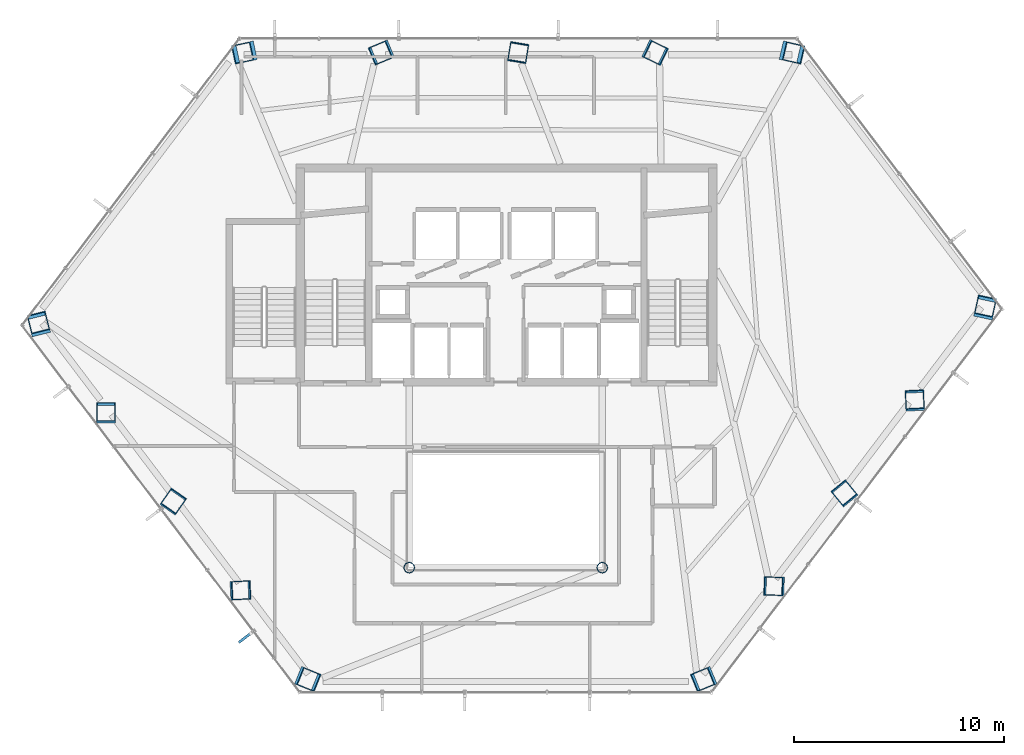
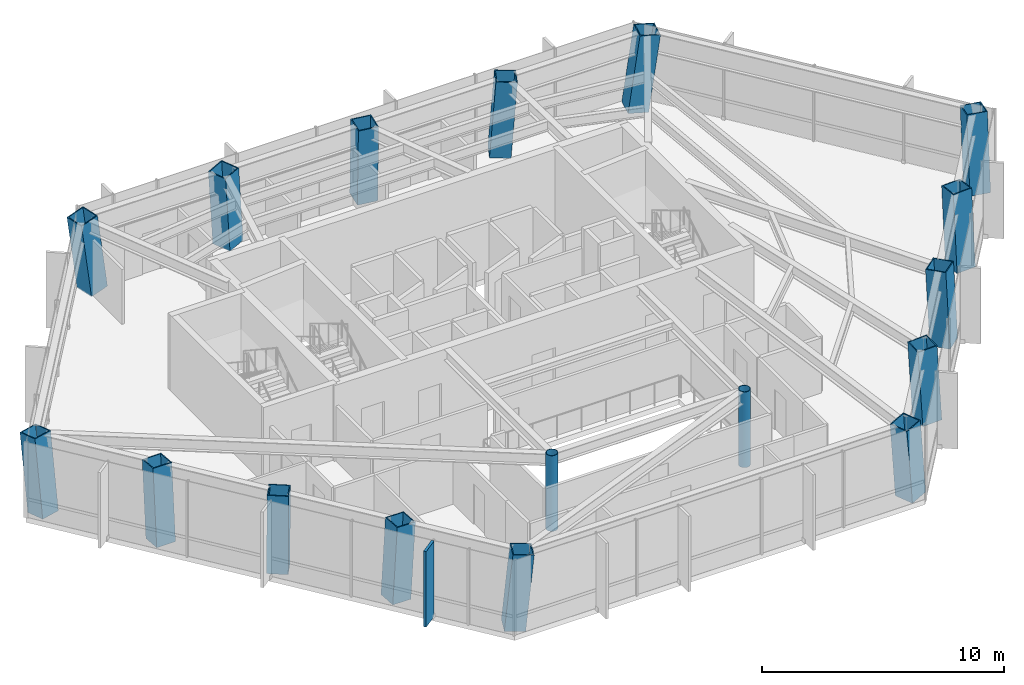
# One storey, part 1 of 26: 17 columns, 1 member, 1 element without a shape of its own.
"""IFC4 building model written with IfcOpenShell, lengths in metres."""

from ifc_helpers import new_model, si_unit, direction, frame, origin, origin_2d, place, context, subcontext, project, spatial, rectangle, hollow_rectangle, hollow_circle, extrude, material, layer, layer_set, material_profile, profile_set, type_object, element, aggregate, save


model = new_model("IFC4")

# Units and contexts
model_context = context("Model", 3, precision=1e-05, world=origin(), true_north=direction((0.0, 1.0)))
body_context = subcontext(model_context, "Body", "Model", "MODEL_VIEW")
ifc_project = project(units=[si_unit("LENGTHUNIT", "METRE"), si_unit("AREAUNIT", "SQUARE_METRE"), si_unit("VOLUMEUNIT", "CUBIC_METRE"), si_unit("PLANEANGLEUNIT", "RADIAN"), si_unit("MASSUNIT", "GRAM", prefix="KILO")], contexts=[model_context])

# Site, building, storey
site_placement = place(None, origin())
site = spatial("IfcSite", under=ifc_project, at=site_placement, CompositionType="ELEMENT")
building_placement = place(site_placement, origin())
building = spatial("IfcBuilding", under=site, at=building_placement, Name="Zarrinselat Tower", CompositionType="ELEMENT")
storey_placement = place(building_placement, frame((0.0, 0.0, 92.820068359375)))
storey = spatial("IfcBuildingStorey", under=building, at=storey_placement, Name="L22", CompositionType="ELEMENT", Elevation=92.820068359375)

# Columns
ifc_material_1 = material(Name="Steel S355J2", Category="steel")
ifc_material_profile_1 = material_profile(ifc_material_1, hollow_circle(Radius=0.25390625, WallThickness=0.02001953125, at=origin_2d()), Name="CHS 508x20")
ifc_profile_set_1 = profile_set([ifc_material_profile_1], Name="Steel S355J2")
column_type_1 = type_object("IfcColumnType", Name="COL-CHS508", PredefinedType="COLUMN", material=ifc_profile_set_1)
for number, where, z_axis, x_axis, name in (
    (1, (33.800048828125, 24.39990234375, 0.0), (0.0, 0.0, 1.0), (1.0, 0.0, 0.0), "L22 Atrium Corner Column 1"),
    (2, (43.0, 24.39990234375, 0.0), (0.0, 0.0, 1.0), (1.0, 0.0, 0.0), "L22 Atrium Corner Column 2"),
):
    element("IfcColumn", number, at=place(storey_placement, frame(where, z_axis=z_axis, x_axis=x_axis)), inside=storey, type_object=column_type_1, Name=name, PredefinedType="COLUMN", context=body_context, shape_type="SweptSolid", body=[
        extrude(hollow_circle(Radius=0.25390625, WallThickness=0.02001953125, at=origin_2d()), origin(), (0.0, 0.0, 1.0), 3.81982421875),
    ])
ifc_material_2 = material(Name="Steel S460M", Category="steel")
ifc_material_profile_2 = material_profile(ifc_material_2, hollow_rectangle(XDim=0.89990234375, YDim=0.89990234375, WallThickness=0.044921875, at=origin_2d()), Name="SHS 900x900x45")
ifc_profile_set_2 = profile_set([ifc_material_profile_2], Name="Steel S460M")
column_type_2 = type_object("IfcColumnType", Name="COL-SHS900", PredefinedType="COLUMN", material=ifc_profile_set_2)
column_1_placement = place(storey_placement, frame((51.968505859375, 48.966796875, 0.0), z_axis=(0.130476631548, -0.030275645573, 0.990989018055), x_axis=(0.226033557527, 0.974119515702, 0.0)))
element("IfcColumn", 3, at=column_1_placement, inside=storey, type_object=column_type_2, Name="L22 Framed-Tube Column T01", PredefinedType="COLUMN", context=body_context, shape_type="SweptSolid", body=[
    extrude(hollow_rectangle(XDim=0.89990234375, YDim=0.89990234375, WallThickness=0.044921875, at=origin_2d()), origin(), (0.0, 0.0, 1.0), 3.8544921875),
])
column_2_placement = place(storey_placement, frame((45.483154296875, 48.966796875, 0.0), z_axis=(0.063246341937, -0.030475555893, 0.997532526149), x_axis=(0.434088646197, 0.900870161146, 0.0)))
element("IfcColumn", 4, at=column_2_placement, inside=storey, type_object=column_type_2, Name="L22 Framed-Tube Column T02", PredefinedType="COLUMN", context=body_context, shape_type="SweptSolid", body=[
    extrude(hollow_rectangle(XDim=0.89990234375, YDim=0.89990234375, WallThickness=0.044921875, at=origin_2d()), origin(), (0.0, 0.0, 1.0), 3.829345703125),
])
column_3_placement = place(storey_placement, frame((38.998046875, 48.966796875, 0.0), z_axis=(-0.004982912982, -0.030536312892, 0.99952123748), x_axis=(0.986946279333, -0.161049811272, 0.0)))
element("IfcColumn", 5, at=column_3_placement, inside=storey, type_object=column_type_2, Name="L22 Framed-Tube Column T03", PredefinedType="COLUMN", context=body_context, shape_type="SweptSolid", body=[
    extrude(hollow_rectangle(XDim=0.89990234375, YDim=0.89990234375, WallThickness=0.044921875, at=origin_2d()), origin(), (0.0, 0.0, 1.0), 3.821533203125),
])
column_4_placement = place(storey_placement, frame((32.5126953125, 48.966796875, 0.0), z_axis=(-0.073015981642, -0.03045518257, 0.996865662103), x_axis=(0.384958466778, -0.922933897338, 0.0)))
element("IfcColumn", 6, at=column_4_placement, inside=storey, type_object=column_type_2, Name="L22 Framed-Tube Column T04", PredefinedType="COLUMN", context=body_context, shape_type="SweptSolid", body=[
    extrude(hollow_rectangle(XDim=0.89990234375, YDim=0.89990234375, WallThickness=0.044921875, at=origin_2d()), origin(), (0.0, 0.0, 1.0), 3.831787109375),
])
column_5_placement = place(storey_placement, frame((26.027587890625, 48.966796875, 0.0), z_axis=(-0.140169960951, -0.030235217209, 0.989665708049), x_axis=(0.210854401994, -0.977517478698, 0.0)))
element("IfcColumn", 7, at=column_5_placement, inside=storey, type_object=column_type_2, Name="L22 Framed-Tube Column T05", PredefinedType="COLUMN", context=body_context, shape_type="SweptSolid", body=[
    extrude(hollow_rectangle(XDim=0.89990234375, YDim=0.89990234375, WallThickness=0.044921875, at=origin_2d()), origin(), (0.0, 0.0, 1.0), 3.859619140625),
])
column_6_placement = place(storey_placement, frame((16.1630859375, 35.94580078125, 0.0), z_axis=(-0.028868984836, 0.116998698982, 0.992712388434), x_axis=(-0.970881249867, -0.239561262847, 0.0)))
element("IfcColumn", 8, at=column_6_placement, inside=storey, type_object=column_type_2, Name="L22 Framed-Tube Column T06", PredefinedType="COLUMN", context=body_context, shape_type="SweptSolid", body=[
    extrude(hollow_rectangle(XDim=0.89990234375, YDim=0.89990234375, WallThickness=0.044921875, at=origin_2d()), origin(), (0.0, 0.0, 1.0), 3.847900390625),
])
column_7_placement = place(storey_placement, frame((19.351806640625, 31.73681640625, 0.0), z_axis=(-0.00012742477, 0.079385631445, 0.996843972386), x_axis=(-0.999998711771, -0.001605134369, 0.0)))
element("IfcColumn", 9, at=column_7_placement, inside=storey, type_object=column_type_2, Name="L22 Framed-Tube Column T07", PredefinedType="COLUMN", context=body_context, shape_type="SweptSolid", body=[
    extrude(hollow_rectangle(XDim=0.89990234375, YDim=0.89990234375, WallThickness=0.044921875, at=origin_2d()), origin(), (0.0, 0.0, 1.0), 3.83203125),
])
column_8_placement = place(storey_placement, frame((22.540283203125, 27.52783203125, 0.0), z_axis=(0.028788707178, 0.041299985686, 0.998731956794), x_axis=(-0.820362117185, 0.571844381531, 0.0)))
element("IfcColumn", 10, at=column_8_placement, inside=storey, type_object=column_type_2, Name="L22 Framed-Tube Column T08", PredefinedType="COLUMN", context=body_context, shape_type="SweptSolid", body=[
    extrude(hollow_rectangle(XDim=0.89990234375, YDim=0.89990234375, WallThickness=0.044921875, at=origin_2d()), origin(), (0.0, 0.0, 1.0), 3.82470703125),
])
column_9_placement = place(storey_placement, frame((25.72900390625, 23.31884765625, 0.0), z_axis=(0.057681862964, 0.003126561156, 0.9983301194), x_axis=(-0.054124089208, 0.998534217224, 0.0)))
element("IfcColumn", 11, at=column_9_placement, inside=storey, type_object=column_type_2, Name="L22 Framed-Tube Column T09", PredefinedType="COLUMN", context=body_context, shape_type="SweptSolid", body=[
    extrude(hollow_rectangle(XDim=0.89990234375, YDim=0.89990234375, WallThickness=0.044921875, at=origin_2d()), origin(), (0.0, 0.0, 1.0), 3.826171875),
])
column_10_placement = place(storey_placement, frame((28.91748046875, 19.110107421875, 0.0), z_axis=(0.086417078511, -0.035063188704, 0.995641833864), x_axis=(0.375974351088, 0.926630070376, 0.0)))
element("IfcColumn", 12, at=column_10_placement, inside=storey, type_object=column_type_2, Name="L22 Framed-Tube Column T10", PredefinedType="COLUMN", context=body_context, shape_type="SweptSolid", body=[
    extrude(hollow_rectangle(XDim=0.89990234375, YDim=0.89990234375, WallThickness=0.044921875, at=origin_2d()), origin(), (0.0, 0.0, 1.0), 3.83642578125),
])
column_11_placement = place(storey_placement, frame((47.882568359375, 19.110107421875, 0.0), z_axis=(-0.086480238317, -0.035062995815, 0.995636356661), x_axis=(0.375736765938, -0.926726433594, 0.0)))
element("IfcColumn", 13, at=column_11_placement, inside=storey, type_object=column_type_2, Name="L22 Framed-Tube Column T11", PredefinedType="COLUMN", context=body_context, shape_type="SweptSolid", body=[
    extrude(hollow_rectangle(XDim=0.89990234375, YDim=0.89990234375, WallThickness=0.044921875, at=origin_2d()), origin(), (0.0, 0.0, 1.0), 3.836669921875),
])
column_12_placement = place(storey_placement, frame((51.220703125, 23.516357421875, 0.0), z_axis=(-0.058953852953, 0.001403663166, 0.998259722192), x_axis=(-0.023802777946, -0.999716673744, 0.0)))
element("IfcColumn", 14, at=column_12_placement, inside=storey, type_object=column_type_2, Name="L22 Framed-Tube Column T12", PredefinedType="COLUMN", context=body_context, shape_type="SweptSolid", body=[
    extrude(hollow_rectangle(XDim=0.89990234375, YDim=0.89990234375, WallThickness=0.044921875, at=origin_2d()), origin(), (0.0, 0.0, 1.0), 3.826416015625),
])
column_13_placement = place(storey_placement, frame((54.55859375, 27.922607421875, 0.0), z_axis=(-0.031279897456, 0.038046569151, 0.998786276733), x_axis=(-0.772453743531, -0.635071030755, 0.0)))
element("IfcColumn", 15, at=column_13_placement, inside=storey, type_object=column_type_2, Name="L22 Framed-Tube Column T13", PredefinedType="COLUMN", context=body_context, shape_type="SweptSolid", body=[
    extrude(hollow_rectangle(XDim=0.89990234375, YDim=0.89990234375, WallThickness=0.044921875, at=origin_2d()), origin(), (0.0, 0.0, 1.0), 3.824462890625),
])
column_14_placement = place(storey_placement, frame((57.896728515625, 32.328857421875, 0.0), z_axis=(-0.003569218201, 0.074507429956, 0.997214071081), x_axis=(-0.998854565254, -0.047849320491, 0.0)))
element("IfcColumn", 16, at=column_14_placement, inside=storey, type_object=column_type_2, Name="L22 Framed-Tube Column T14", PredefinedType="COLUMN", context=body_context, shape_type="SweptSolid", body=[
    extrude(hollow_rectangle(XDim=0.89990234375, YDim=0.89990234375, WallThickness=0.044921875, at=origin_2d()), origin(), (0.0, 0.0, 1.0), 3.83056640625),
])
column_15_placement = place(storey_placement, frame((61.23486328125, 36.735107421875, 0.0), z_axis=(0.024004245347, 0.110622739138, 0.993572546818), x_axis=(-0.977257303309, 0.212056980856, 0.0)))
element("IfcColumn", 17, at=column_15_placement, inside=storey, type_object=column_type_2, Name="L22 Framed-Tube Column T15", PredefinedType="COLUMN", context=body_context, shape_type="SweptSolid", body=[
    extrude(hollow_rectangle(XDim=0.89990234375, YDim=0.89990234375, WallThickness=0.044921875, at=origin_2d()), origin(), (0.0, 0.0, 1.0), 3.844482421875),
])

# Curtain wall, member
ifc_material_3 = material(Name="Extruded Aluminium Alloy EN AW-6063 T6", Category="aluminium")
ifc_layer = layer(ifc_material_3, 0.18505859375)
ifc_layer_set = layer_set([ifc_layer], Name="Extruded Aluminium Alloy EN AW-6063 T6")
curtain_wall_type = type_object("IfcCurtainWallType", Name="CWS-OFF", PredefinedType="NOTDEFINED", material=ifc_layer_set)
curtain_wall_placement = place(storey_placement, origin())
curtain_wall = element("IfcCurtainWall", 18, at=curtain_wall_placement, inside=storey, type_object=curtain_wall_type, Name="L22 Unitised Curtain Wall CW-L22-E03", PredefinedType="NOTDEFINED")
ifc_material_4 = material(Name="Honed Cream Travertine Stone", Category="masonry")
ifc_material_profile_3 = material_profile(ifc_material_4, rectangle(XDim=0.1201171875, YDim=0.85009765625, at=origin_2d()), Name="FIN 850x120")
ifc_profile_set_3 = profile_set([ifc_material_profile_3], Name="Honed Cream Travertine Stone")
member_type = type_object("IfcMemberType", Name="MEM-STONE-FIN", PredefinedType="USERDEFINED", material=ifc_profile_set_3)
member_placement = place(storey_placement, frame((26.02001953125, 21.096435546875, 0.0), z_axis=(0.0, 0.0, 1.0), x_axis=(-0.603856459269, 0.797093079006, 0.0)))
member = element("IfcMember", 19, at=member_placement, type_object=member_type, Name="L22 Stone Shading Fin CW-L22-E03-05", ObjectType="FIN", PredefinedType="USERDEFINED", context=body_context, shape_type="SweptSolid", body=[
    extrude(rectangle(XDim=0.1201171875, YDim=0.85009765625, at=origin_2d()), origin(), (0.0, 0.0, 1.0), 3.81982421875),
])
aggregate(curtain_wall, [member])

save(model, "model.ifc")
